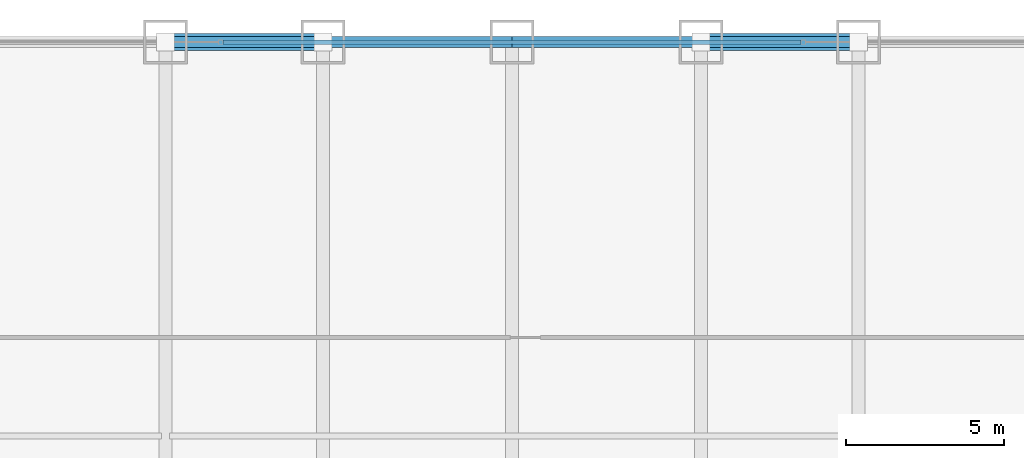
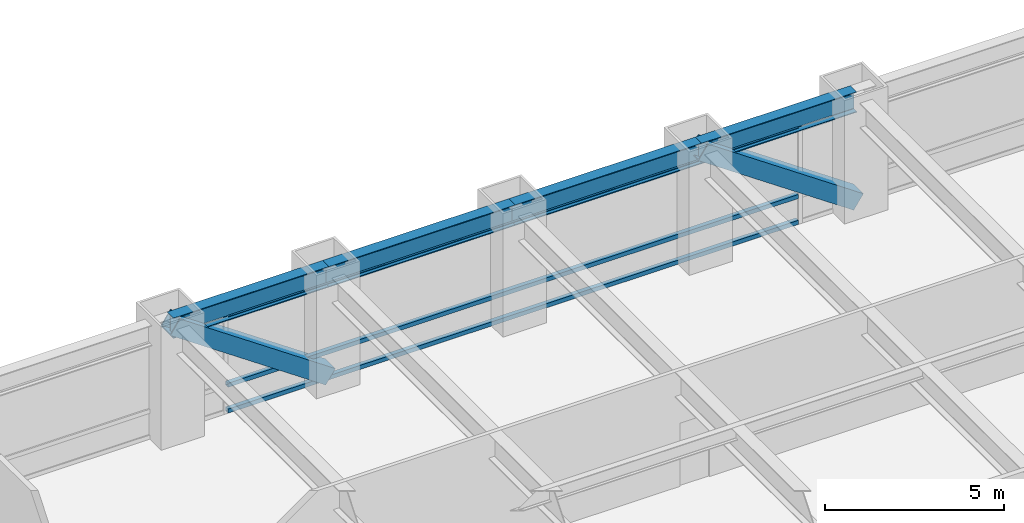
# One storey, part 20 of 27: 5 members, 4 beams, 1 element without a shape of its own.
"""IFC4 building model written with IfcOpenShell, lengths in metres."""

from ifc_helpers import new_model, si_unit, direction, frame, origin, origin_2d, place, context, subcontext, project, spatial, hollow_rectangle, i_section, extrude, source, transform, mapped, material, material_profile, profile_set, type_object, element, aggregate, save


model = new_model("IFC4")

# Units and contexts
model_context = context("Model", 3, precision=1e-05, world=origin(), true_north=direction((0.0, 1.0)))
body_context = subcontext(model_context, "Body", "Model", "MODEL_VIEW")
ifc_project = project(units=[si_unit("LENGTHUNIT", "METRE"), si_unit("AREAUNIT", "SQUARE_METRE"), si_unit("VOLUMEUNIT", "CUBIC_METRE"), si_unit("PLANEANGLEUNIT", "RADIAN"), si_unit("MASSUNIT", "GRAM", prefix="KILO")], contexts=[model_context])

# Site, building, storey
site_placement = place(None, origin())
site = spatial("IfcSite", under=ifc_project, at=site_placement, CompositionType="ELEMENT")
building_placement = place(site_placement, origin())
building = spatial("IfcBuilding", under=site, at=building_placement, Name="Khorayat Bourse Tower", CompositionType="ELEMENT")
storey_placement = place(building_placement, frame((0.0, 0.0, 45.199951171875)))
storey = spatial("IfcBuildingStorey", under=building, at=storey_placement, Name="L09", CompositionType="ELEMENT", Elevation=45.199951171875)

# Beams
ifc_material_1 = material(Name="Steel ASTM A992 Grade 50", Category="steel")
ifc_material_profile_1 = material_profile(ifc_material_1, i_section(OverallWidth=0.35498046875, OverallDepth=0.695068359375, WebThickness=0.015380859375, FlangeThickness=0.02490234375, FilletRadius=0.01806640625, at=origin_2d()), Name="W690X217")
ifc_profile_set_1 = profile_set([ifc_material_profile_1], Name="Steel ASTM A992 Grade 50")
beam_type = type_object("IfcBeamType", Name="BM-SPAN-690", PredefinedType="SPANDREL", material=ifc_profile_set_1)
shared_shape_1 = source(origin(), body_context, "Body", "SweptSolid", [
    extrude(i_section(OverallWidth=0.35498046875, OverallDepth=0.695068359375, WebThickness=0.015380859375, FlangeThickness=0.02490234375, FilletRadius=0.01806640625, at=origin_2d()), origin(), (0.0, 0.0, 1.0), 5.0),
])
for number, where, z_axis, x_axis, name in (
    (1, (6.0, 32.0, 3.592529296875), (1.0, 0.0, 0.0), (0.0, 1.0, 0.0), "L09 BM-SPAN-690 BM-L09-SPN-046"),
    (2, (-11.0, 32.0, 3.592529296875), (1.0, 0.0, 0.0), (0.0, 1.0, 0.0), "L09 BM-SPAN-690 BM-L09-SPN-049"),
):
    element("IfcBeam", number, at=place(storey_placement, frame(where, z_axis=z_axis, x_axis=x_axis)), inside=storey, type_object=beam_type, Name=name, PredefinedType="SPANDREL", context=body_context, shape_type="MappedRepresentation", body=[
        mapped(shared_shape_1, transform((0.0, 0.0, 0.0), scale=1.0)),
    ])
shared_shape_2 = source(origin(), body_context, "Body", "SweptSolid", [
    extrude(i_section(OverallWidth=0.35498046875, OverallDepth=0.695068359375, WebThickness=0.015380859375, FlangeThickness=0.02490234375, FilletRadius=0.01806640625, at=origin_2d()), origin(), (0.0, 0.0, 1.0), 6.0),
])
for number, where, z_axis, x_axis, name in (
    (3, (0.0, 32.0, 3.592529296875), (1.0, 0.0, 0.0), (0.0, 1.0, 0.0), "L09 BM-SPAN-690 BM-L09-SPN-047"),
    (4, (-6.0, 32.0, 3.592529296875), (1.0, 0.0, 0.0), (0.0, 1.0, 0.0), "L09 BM-SPAN-690 BM-L09-SPN-048"),
):
    element("IfcBeam", number, at=place(storey_placement, frame(where, z_axis=z_axis, x_axis=x_axis)), inside=storey, type_object=beam_type, Name=name, PredefinedType="SPANDREL", context=body_context, shape_type="MappedRepresentation", body=[
        mapped(shared_shape_2, transform((0.0, 0.0, 0.0), scale=1.0)),
    ])

# Members
ifc_material_2 = material(Name="Steel EN 10025-4 S460M", Category="steel")
ifc_material_profile_2 = material_profile(ifc_material_2, hollow_rectangle(XDim=0.550048828125, YDim=0.550048828125, WallThickness=0.031982421875, at=origin_2d()), Name="HSS 550x550x32")
ifc_profile_set_2 = profile_set([ifc_material_profile_2], Name="Steel EN 10025-4 S460M")
member_type_1 = type_object("IfcMemberType", Name="MBR-TUBE-550", PredefinedType="BRACE", material=ifc_profile_set_2)
shared_shape_3 = source(origin(), body_context, "Body", "SweptSolid", [
    extrude(hollow_rectangle(XDim=0.550048828125, YDim=0.550048828125, WallThickness=0.031982421875, at=origin_2d()), origin(), (0.0, 0.0, 1.0), 6.069091796875),
])
for number, where, z_axis, x_axis, name in (
    (5, (-11.0, 32.0, 3.68994140625), (0.823854080622, 0.0, -0.566801952928), (0.0, 1.0, 0.0), "L09 Perimeter Tube Brace 03"),
    (6, (6.0, 32.0, 3.68994140625), (0.823854080622, 0.0, -0.566801952928), (0.0, 1.0, 0.0), "L09 Perimeter Tube Brace 04"),
):
    element("IfcMember", number, at=place(storey_placement, frame(where, z_axis=z_axis, x_axis=x_axis)), inside=storey, type_object=member_type_1, Name=name, PredefinedType="BRACE", context=body_context, shape_type="MappedRepresentation", body=[
        mapped(shared_shape_3, transform((0.0, 0.0, 0.0), scale=1.0)),
    ])

# Curtain wall, members
ifc_material_3 = material(Name="Aluminium EN AW-6063 T6", Category="aluminium")
curtain_wall_type = type_object("IfcCurtainWallType", Name="CW-SYS-02", PredefinedType="NOTDEFINED", material=ifc_material_3)
curtain_wall_placement = place(storey_placement, origin())
curtain_wall = element("IfcCurtainWall", 7, at=curtain_wall_placement, inside=storey, type_object=curtain_wall_type, Name="L09 Curtain Wall CW-L09-N1", PredefinedType="NOTDEFINED")
ifc_material_profile_3 = material_profile(ifc_material_3, hollow_rectangle(XDim=0.139892578125, YDim=0.139892578125, WallThickness=0.006103515625, at=origin_2d()), Name="ALU 140x140x6")
ifc_profile_set_3 = profile_set([ifc_material_profile_3], Name="Aluminium EN AW-6063 T6")
member_type_2 = type_object("IfcMemberType", Name="CWT-HORZ-140", PredefinedType="USERDEFINED", material=ifc_profile_set_3)
shared_shape_4 = source(origin(), body_context, "Body", "SweptSolid", [
    extrude(hollow_rectangle(XDim=0.139892578125, YDim=0.139892578125, WallThickness=0.006103515625, at=origin_2d()), origin(), (0.0, 0.0, 1.0), 18.35986328125),
])
member_1_placement = place(storey_placement, frame((-9.179931640625, 32.0, 0.070068359375), z_axis=(1.0, 0.0, 0.0), x_axis=(0.0, 1.0, 0.0)))
member_1 = element("IfcMember", 8, at=member_1_placement, type_object=member_type_2, Name="CW-L09-N1 Horizontal Transom 2-1", ObjectType="TRANSOM", PredefinedType="USERDEFINED", context=body_context, shape_type="MappedRepresentation", body=[
    mapped(shared_shape_4, transform((0.0, 0.0, 0.0), scale=1.0)),
])
member_2_placement = place(storey_placement, frame((-9.179931640625, 32.0, 0.949951171875), z_axis=(1.0, 0.0, 0.0), x_axis=(0.0, 1.0, 0.0)))
member_2 = element("IfcMember", 9, at=member_2_placement, type_object=member_type_2, Name="CW-L09-N1 Horizontal Transom 2-2", ObjectType="TRANSOM", PredefinedType="USERDEFINED", context=body_context, shape_type="MappedRepresentation", body=[
    mapped(shared_shape_4, transform((0.0, 0.0, 0.0), scale=1.0)),
])
member_3_placement = place(storey_placement, frame((-9.179931640625, 32.0, 3.219970703125), z_axis=(1.0, 0.0, 0.0), x_axis=(0.0, 1.0, 0.0)))
member_3 = element("IfcMember", 10, at=member_3_placement, type_object=member_type_2, Name="CW-L09-N1 Horizontal Transom 2-3", ObjectType="TRANSOM", PredefinedType="USERDEFINED", context=body_context, shape_type="MappedRepresentation", body=[
    mapped(shared_shape_4, transform((0.0, 0.0, 0.0), scale=1.0)),
])
aggregate(curtain_wall, [member_1, member_2, member_3])

save(model, "model.ifc")
